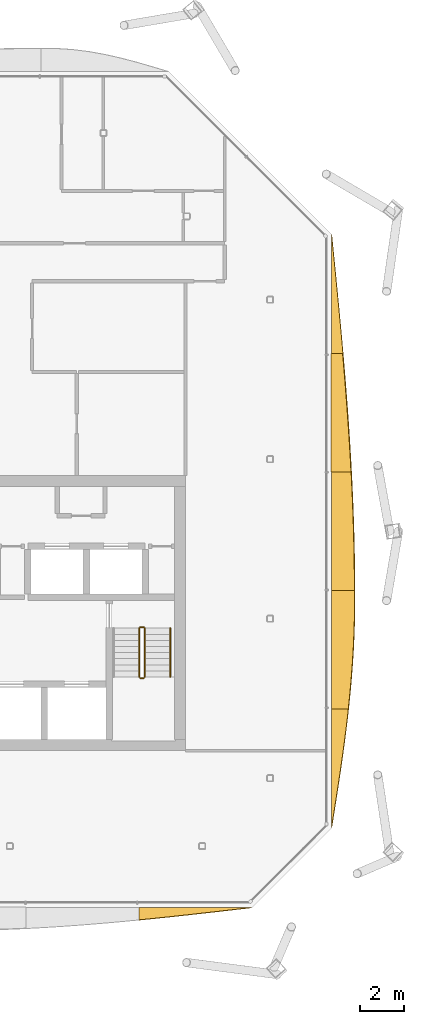
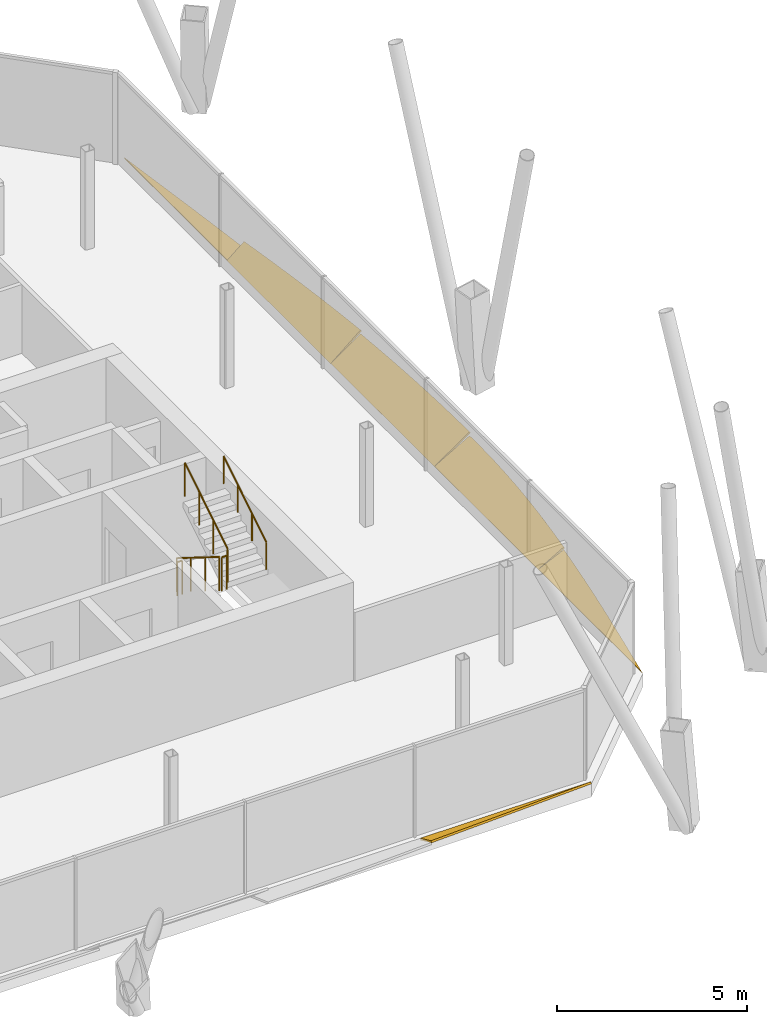
# One storey, part 17 of 18: 6 shading devices, 5 railings.
"""IFC4 building model written with IfcOpenShell, lengths in metres."""

from ifc_helpers import new_model, si_unit, direction, frame, origin, origin_2d, place, context, subcontext, project, spatial, polyline, circle, outline, extrude, material, layer, layer_set, type_object, element, save


model = new_model("IFC4")

# Units and contexts
model_context = context("Model", 3, precision=1e-05, world=origin(), true_north=direction((0.0, 1.0)))
body_context = subcontext(model_context, "Body", "Model", "MODEL_VIEW")
ifc_project = project(units=[si_unit("LENGTHUNIT", "METRE"), si_unit("AREAUNIT", "SQUARE_METRE"), si_unit("VOLUMEUNIT", "CUBIC_METRE"), si_unit("PLANEANGLEUNIT", "RADIAN"), si_unit("MASSUNIT", "GRAM", prefix="KILO")], contexts=[model_context])

# Site, building, storey
site_placement = place(None, origin())
site = spatial("IfcSite", under=ifc_project, at=site_placement, CompositionType="ELEMENT")
building_placement = place(site_placement, origin())
building = spatial("IfcBuilding", under=site, at=building_placement, Name="Tskaro Facet Tower", CompositionType="ELEMENT")
storey_placement = place(building_placement, frame((0.0, 0.0, 217.199951171875)))
storey = spatial("IfcBuildingStorey", under=building, at=storey_placement, Name="L55", CompositionType="ELEMENT", Elevation=217.199951171875)

# Shading devices
ifc_material_1 = material(Name="Bronze anodised aluminium 6063-T6", Category="aluminium")
ifc_layer = layer(ifc_material_1, 0.06005859375, Name="Bronze anodised aluminium 6063-T6")
ifc_layer_set = layer_set([ifc_layer], Name="Bronze anodised aluminium 6063-T6")
shading_device_type = type_object("IfcShadingDeviceType", Name="Bronze sun blade (FN1)", PredefinedType="USERDEFINED", material=ifc_layer_set)
shading_device_1_placement = place(storey_placement, frame((7.359375, -19.209716796875, 0.054443359375), z_axis=(-9.328053e-06, 0.422722692748, 0.906259082685), x_axis=(0.999999999956, 3.94318e-06, 8.453633e-06)))
element("IfcShadingDevice", 1, at=shading_device_1_placement, inside=storey, type_object=shading_device_type, Name="Fin blade south 6", ObjectType="FIN", PredefinedType="USERDEFINED", context=body_context, shape_type="SweptSolid", body=[
    extrude(outline(polyline([(0.0, 0.0), (5.1796874997746505, 0.0), (4.439697266003062, -0.09458580557859511), (3.699707030029103, -0.18852269427462628), (2.959716796804721, -0.2812501058939027), (2.2197265631648553, -0.37234037821272864), (1.4799804684948161, -0.460923339689672), (0.739990234432696, -0.546335226348128), (-4.603909288134794e-10, -0.6284728344056832), (0.0, 0.0)])), origin(), (0.0, 0.0, -1.0), 0.06005859375),
])
shading_device_2_placement = place(storey_placement, frame((16.209716796875, -15.5390625, 0.054443359375), z_axis=(-0.422580533983, -3.50783e-07, 0.906325378823), x_axis=(-1.48234e-07, 1.0, 3.17924e-07)))
element("IfcShadingDevice", 2, at=shading_device_2_placement, inside=storey, type_object=shading_device_type, Name="Fin blade east 1", ObjectType="FIN", PredefinedType="USERDEFINED", context=body_context, shape_type="SweptSolid", body=[
    extrude(outline(polyline([(0.0, 0.0), (5.450439453124665, 0.0), (5.450439453127215, -0.8544581814910627), (4.769042968726526, -0.7679548790741606), (4.087890624991311, -0.6736935241846888), (3.406494140640618, -0.5724410984316441), (2.725341796857306, -0.46518585426846315), (2.0439453124794684, -0.3531223822999408), (1.3625488281425822, -0.23734210405519296), (0.6813964844097433, -0.11937898275221362), (0.0, 0.0)])), origin(), (0.0, 0.0, -1.0), 0.06005859375),
])
shading_device_3_placement = place(storey_placement, frame((16.205078125, -10.088623046875, 0.052001953125), z_axis=(-0.500026013716, 7.10958e-07, 0.866010384237), x_axis=(3.55498e-07, 1.0, -6.15697e-07)))
element("IfcShadingDevice", 3, at=shading_device_3_placement, inside=storey, type_object=shading_device_type, Name="Fin blade east 2", ObjectType="FIN", PredefinedType="USERDEFINED", context=body_context, shape_type="SweptSolid", body=[
    extrude(outline(polyline([(0.0, 0.0), (5.450439453123622, 2.885438621132241e-22), (5.450439453187026, -1.2290944218259119), (5.068847656271863, -1.2299728601023143), (4.769042968638615, -1.2286715651929834), (4.087890625001466, -1.2167396593138629), (3.406494140591621, -1.1922415626062293), (2.7253417968961875, -1.1552666267230416), (2.043945312538116, -1.1064818616242382), (1.3625488280788813, -1.0462207722897887), (0.6813964844038569, -0.9751176436690852), (7.246738935725173e-11, -0.8941729907020354), (0.0, 0.0)])), origin(), (0.0, 0.0, -1.0), 0.06005859375),
])
shading_device_4_placement = place(storey_placement, frame((16.20068359375, -4.63818359375, 0.04931640625), z_axis=(-0.573557980455, 7.491193e-06, 0.819164966903), x_axis=(4.296633e-06, 0.999999999972, -6.136523e-06)))
element("IfcShadingDevice", 4, at=shading_device_4_placement, inside=storey, type_object=shading_device_type, Name="Fin blade east 3", ObjectType="FIN", PredefinedType="USERDEFINED", context=body_context, shape_type="SweptSolid", body=[
    extrude(outline(polyline([(0.0, 0.0), (5.450439452972066, -2.308350896905793e-21), (5.450439453193809, -1.1101632604652818), (4.7690429697728, -1.151204845319025), (4.087890624125821, -1.187446287535453), (3.406494141595376, -1.2188674835970947), (2.725097655164986, -1.2452885455744178), (2.043945312052133, -1.2666893699499513), (1.3625488274106912, -1.2828100026335143), (0.6813964850378037, -1.2937104062682843), (-3.618472358489269e-10, -1.2994706470149098), (0.0, 0.0)])), origin(), (0.0, 0.0, -1.0), 0.06005859375),
])
shading_device_5_placement = place(storey_placement, frame((16.196533203125, 0.812255859375, 0.0458984375), z_axis=(-0.642889166505, -1.3047195e-05, 0.765959215246), x_axis=(-8.3879e-06, 0.999999999915, 9.993619e-06)))
element("IfcShadingDevice", 5, at=shading_device_5_placement, inside=storey, type_object=shading_device_type, Name="Fin blade east 4", ObjectType="FIN", PredefinedType="USERDEFINED", context=body_context, shape_type="SweptSolid", body=[
    extrude(outline(polyline([(0.0, 0.0), (5.450439452661088, 0.0), (5.4504394531504, -0.6808567284048586), (4.769042967372379, -0.7569412220013723), (4.087646484993693, -0.8300570104418731), (3.4064941413675984, -0.8995462258760211), (2.725097655244141, -0.9654088683038164), (2.043945312360953, -1.027614891326638), (1.3625488282441864, -1.0853194253325964), (0.6811523435188191, -1.138522470321691), (-1.190169116942537e-09, -1.1872240262939218), (0.0, 0.0)])), origin(), (0.0, 0.0, -1.0), 0.06005859375),
])
shading_device_6_placement = place(storey_placement, frame((16.214599609375, 6.2626953125, 0.056396484375), z_axis=(-0.342356531812, -1.3151854e-05, 0.939570117103), x_axis=(-4.502623e-06, 0.999999999914, 1.2357089e-05)))
element("IfcShadingDevice", 6, at=shading_device_6_placement, inside=storey, type_object=shading_device_type, Name="Fin blade east 5", ObjectType="FIN", PredefinedType="USERDEFINED", context=body_context, shape_type="SweptSolid", body=[
    extrude(outline(polyline([(0.0, 0.0), (5.450195312028637, 0.0), (4.7690429704600685, -0.07229513154907963), (4.087646485249654, -0.14450667996050262), (3.4064941398458974, -0.21617587076298764), (2.725097655197388, -0.2868439294852534), (2.0437011700115093, -0.35619788575400263), (1.362548827930108, -0.42432132270689193), (0.6811523438680381, -0.4905882995973267), (-9.247424543662942e-10, -0.554998816425307), (0.0, 0.0)])), origin(), (0.0, 0.0, -1.0), 0.06005859375),
])

# Railings
ifc_material_2 = material(Name="Stainless steel", Category="steel")
railing_type_1 = type_object("IfcRailingType", Name="RL-GUARD-1100", PredefinedType="GUARDRAIL", material=ifc_material_2)
railing_1_placement = place(storey_placement, frame((7.375, -6.375, 0.175048828125)))
element("IfcRailing", 7, at=railing_1_placement, inside=storey, type_object=railing_type_1, Name="L55 ST-2 stair guard 1", PredefinedType="GUARDRAIL", context=body_context, shape_type="SweptSolid", body=[
    extrude(circle(Radius=0.02392578125, at=origin_2d()), frame((0.0, 0.0, 1.076171875), z_axis=(0.0, -0.848013881152, 0.529974015752), x_axis=(1.0, 0.0, 0.0)), (0.0, 0.0, 1.0), 2.641357421875),
    extrude(circle(Radius=0.02099609375, at=origin_2d()), origin(), (0.0, 0.0, 1.0), 1.052001953125),
    extrude(circle(Radius=0.02099609375, at=origin_2d()), frame((0.0, -0.74658203125, 0.466552734375)), (0.0, 0.0, 1.0), 1.052001953125),
    extrude(circle(Radius=0.02099609375, at=origin_2d()), frame((0.0, -1.493408203125, 0.933349609375)), (0.0, 0.0, 1.0), 1.052001953125),
    extrude(circle(Radius=0.02099609375, at=origin_2d()), frame((0.0, -2.239990234375, 1.39990234375)), (0.0, 0.0, 1.0), 1.052001953125),
])
railing_2_placement = place(storey_placement, frame((7.425048828125, -8.6650390625, 1.574951171875)))
element("IfcRailing", 8, at=railing_2_placement, inside=storey, type_object=railing_type_1, Name="L55 ST-2 stair guard 2", PredefinedType="GUARDRAIL", context=body_context, shape_type="SweptSolid", body=[
    extrude(circle(Radius=0.02392578125, at=origin_2d()), frame((0.0, 0.0, 1.076171875), z_axis=(1.0, 0.0, 0.0), x_axis=(0.0, 1.0, 0.0)), (0.0, 0.0, 1.0), 0.14990234375),
    extrude(circle(Radius=0.02099609375, at=origin_2d()), origin(), (0.0, 0.0, 1.0), 1.052001953125),
    extrude(circle(Radius=0.02099609375, at=origin_2d()), frame((0.14990234375, 0.0, 0.0)), (0.0, 0.0, 1.0), 1.052001953125),
])
railing_3_placement = place(storey_placement, frame((7.625, -8.614990234375, 1.75)))
element("IfcRailing", 9, at=railing_3_placement, inside=storey, type_object=railing_type_1, Name="L55 ST-2 stair guard 3", PredefinedType="GUARDRAIL", context=body_context, shape_type="SweptSolid", body=[
    extrude(circle(Radius=0.02392578125, at=origin_2d()), frame((0.0, 0.0, 1.076171875), z_axis=(0.0, 0.847972341737, 0.530040477369), x_axis=(-1.0, 0.0, 0.0)), (0.0, 0.0, 1.0), 2.6416015625),
    extrude(circle(Radius=0.02099609375, at=origin_2d()), origin(), (0.0, 0.0, 1.0), 1.052001953125),
    extrude(circle(Radius=0.02099609375, at=origin_2d()), frame((0.0, 0.74658203125, 0.466796875)), (0.0, 0.0, 1.0), 1.052001953125),
    extrude(circle(Radius=0.02099609375, at=origin_2d()), frame((0.0, 1.493408203125, 0.933349609375)), (0.0, 0.0, 1.0), 1.052001953125),
    extrude(circle(Radius=0.02099609375, at=origin_2d()), frame((0.0, 2.239990234375, 1.400146484375)), (0.0, 0.0, 1.0), 1.052001953125),
])
railing_4_placement = place(storey_placement, frame((7.425048828125, -6.324951171875, 0.0)))
element("IfcRailing", 10, at=railing_4_placement, inside=storey, type_object=railing_type_1, Name="L55 ST-2 stair guard 4", PredefinedType="GUARDRAIL", context=body_context, shape_type="SweptSolid", body=[
    extrude(circle(Radius=0.02392578125, at=origin_2d()), frame((0.0, 0.0, 1.076171875), z_axis=(1.0, 0.0, 0.0), x_axis=(0.0, 1.0, 0.0)), (0.0, 0.0, 1.0), 0.14990234375),
    extrude(circle(Radius=0.02099609375, at=origin_2d()), origin(), (0.0, 0.0, 1.0), 1.052001953125),
    extrude(circle(Radius=0.02099609375, at=origin_2d()), frame((0.14990234375, 0.0, 0.0)), (0.0, 0.0, 1.0), 1.052001953125),
])
railing_type_2 = type_object("IfcRailingType", Name="RL-HANDRAIL-900", PredefinedType="HANDRAIL", material=ifc_material_2)
railing_5_placement = place(storey_placement, frame((8.800048828125, -8.614990234375, 1.75)))
element("IfcRailing", 11, at=railing_5_placement, inside=storey, type_object=railing_type_2, Name="L55 ST-2 stair handrail 2", PredefinedType="HANDRAIL", context=body_context, shape_type="SweptSolid", body=[
    extrude(circle(Radius=0.02392578125, at=origin_2d()), frame((0.0, 0.0, 0.8759765625), z_axis=(0.0, 0.847972341737, 0.530040477369), x_axis=(-1.0, 0.0, 0.0)), (0.0, 0.0, 1.0), 2.6416015625),
    extrude(circle(Radius=0.02099609375, at=origin_2d()), origin(), (0.0, 0.0, 1.0), 0.851806640625),
    extrude(circle(Radius=0.02099609375, at=origin_2d()), frame((0.0, 0.74658203125, 0.466796875)), (0.0, 0.0, 1.0), 0.851806640625),
    extrude(circle(Radius=0.02099609375, at=origin_2d()), frame((0.0, 1.493408203125, 0.933349609375)), (0.0, 0.0, 1.0), 0.851806640625),
    extrude(circle(Radius=0.02099609375, at=origin_2d()), frame((0.0, 2.239990234375, 1.400146484375)), (0.0, 0.0, 1.0), 0.851806640625),
])

save(model, "model.ifc")
